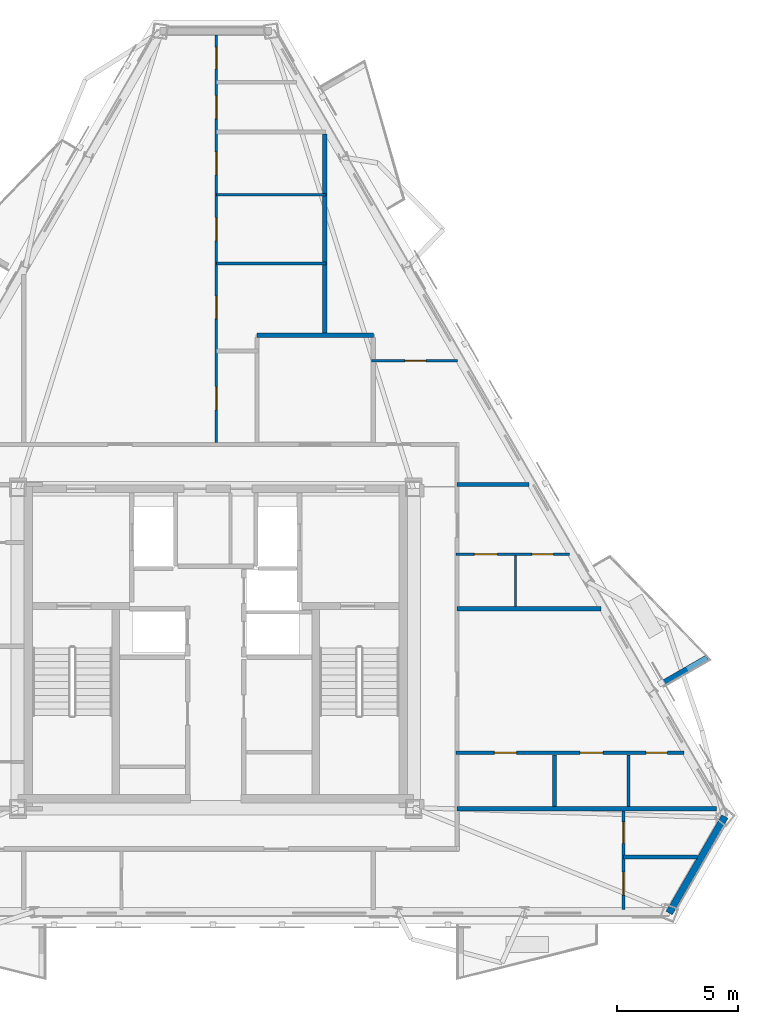
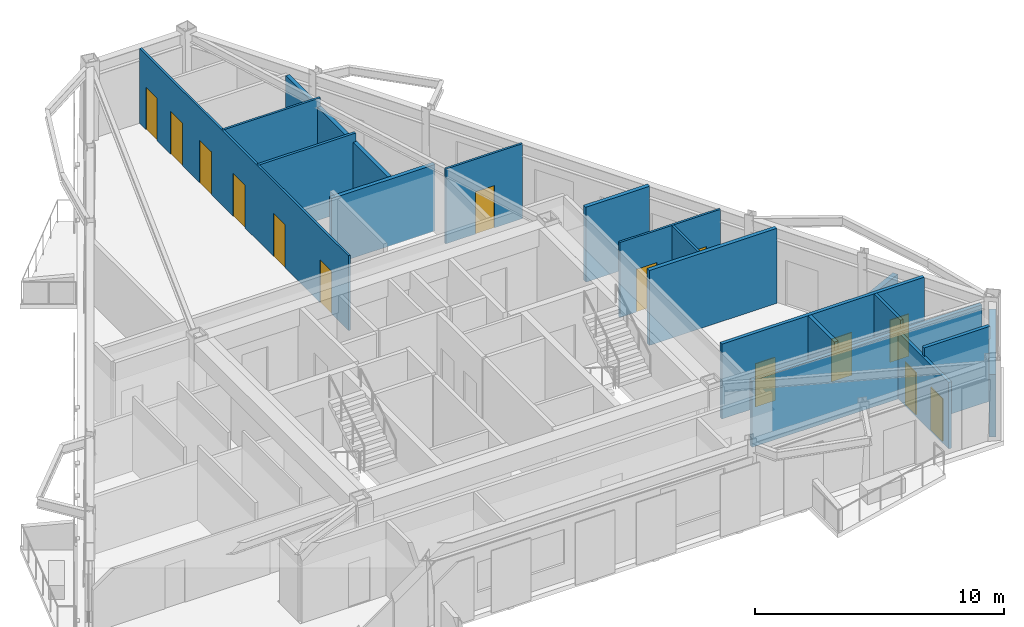
# One storey, part 5 of 9: 18 walls, 14 doors, 14 openings.
"""IFC4 building model written with IfcOpenShell, lengths in metres."""

from ifc_helpers import new_model, si_unit, direction, frame, frame_2d, origin, place, context, subcontext, project, spatial, polyline, rectangle, outline, extrude, material, layer, layer_set, type_object, element, fill, save


model = new_model("IFC4")

# Units and contexts
model_context = context("Model", 3, precision=1e-05, world=origin(), true_north=direction((0.0, 1.0)))
body_context = subcontext(model_context, "Body", "Model", "MODEL_VIEW")
ifc_project = project(units=[si_unit("LENGTHUNIT", "METRE"), si_unit("AREAUNIT", "SQUARE_METRE"), si_unit("VOLUMEUNIT", "CUBIC_METRE"), si_unit("PLANEANGLEUNIT", "RADIAN"), si_unit("MASSUNIT", "GRAM", prefix="KILO")], contexts=[model_context])

# Site, building, storey
site_placement = place(None, origin())
site = spatial("IfcSite", under=ifc_project, at=site_placement, CompositionType="ELEMENT")
building_placement = place(site_placement, origin())
building = spatial("IfcBuilding", under=site, at=building_placement, Name="Oramaril Tower", CompositionType="ELEMENT")
storey_placement = place(building_placement, frame((0.0, 0.0, 277.199951171875)))
storey = spatial("IfcBuildingStorey", under=building, at=storey_placement, Name="L73", CompositionType="ELEMENT", Elevation=277.199951171875)

# Walls
ifc_material_1 = material(Name="Warm Cream Limestone", Category="masonry")
ifc_layer_1 = layer(ifc_material_1, 0.2900390625)
ifc_layer_set_1 = layer_set([ifc_layer_1], Name="WT-EXT29")
wall_type_1 = type_object("IfcWallType", Name="WT-EXT29", PredefinedType="SOLIDWALL", material=ifc_layer_set_1)
wall_1_placement = place(storey_placement, frame((56.194580078125, 6.653076171875, 0.0), z_axis=(0.0, 0.0, 1.0), x_axis=(0.500018268964, 0.866014855936, 0.0)))
element("IfcWall", 1, at=wall_1_placement, inside=storey, type_object=wall_type_1, Name="L73 Tower Limestone Facade Wall 3M", PredefinedType="SOLIDWALL", context=body_context, shape_type="SweptSolid", body=[
    extrude(rectangle(XDim=4.595947265625, YDim=0.2900390625, at=frame_2d((2.2978515625, 0.0))), origin(), (0.0, 0.0, 1.0), 3.05810546875),
])
ifc_material_2 = material(Name="Concrete C40/50", Category="concrete")
ifc_layer_2 = layer(ifc_material_2, 0.22998046875)
ifc_layer_set_2 = layer_set([ifc_layer_2], Name="WT-PRP23")
wall_type_2 = type_object("IfcWallType", Name="WT-PRP23", PredefinedType="PARAPET", material=ifc_layer_set_2)
wall_2_placement = place(storey_placement, frame((55.99072265625, 16.16259765625, 0.0), z_axis=(0.0, 0.0, 1.0), x_axis=(0.866042246008, 0.499970827278, 0.0)))
element("IfcWall", 2, at=wall_2_placement, inside=storey, type_object=wall_type_2, Name="L73 Trapezoidal Balcony Frame Cheek L73-BAL-NE1-L", PredefinedType="PARAPET", context=body_context, shape_type="SweptSolid", body=[
    extrude(outline(polyline([(0.0, 0.0), (2.0419921875, 0.0), (2.0419921875, 1.10009765625), (0.0, 1.320068359375), (0.0, 0.0)])), frame((0.0, 0.114990234375, 0.0), z_axis=(0.0, -1.0, 0.0), x_axis=(1.0, 0.0, 0.0)), (0.0, 0.0, 1.0), 0.22998046875),
])

# Wall, openings, doors
ifc_material_3 = material(Name="Acoustic Gypsum Board Partition")
ifc_layer_3 = layer(ifc_material_3, 0.10009765625)
ifc_layer_set_3 = layer_set([ifc_layer_3], Name="WT-PT10")
wall_type_3 = type_object("IfcWallType", Name="WT-PT10", PredefinedType="PARTITIONING", material=ifc_layer_set_3)
wall_3_placement = place(storey_placement, frame((47.39990234375, 21.449951171875, 0.0), z_axis=(0.0, 0.0, 1.0), x_axis=(1.0, 0.0, 0.0)))
wall_3 = element("IfcWall", 3, at=wall_3_placement, inside=storey, type_object=wall_type_3, Name="L73 Interior Partition PT-10", PredefinedType="PARTITIONING", context=body_context, shape_type="SweptSolid", body=[
    extrude(rectangle(XDim=4.67578125, YDim=0.10009765625, at=frame_2d((2.337890625, 0.0))), origin(), (0.0, 0.0, 1.0), 3.679931640625),
])
opening_1_placement = place(wall_3_placement, frame((0.7626953125, 0.0, 0.0)))
opening_1 = element("IfcOpeningElement", 4, at=opening_1_placement, cuts=wall_3, Name="Opening D-L73-10", PredefinedType="OPENING", context=body_context, shape_type="SweptSolid", body=[
    extrude(rectangle(XDim=0.949951171875, YDim=2.10009765625, at=frame_2d((0.47509765625, 1.050048828125))), frame((0.0, 0.050048828125, 0.0), z_axis=(0.0, -1.0, 0.0), x_axis=(1.0, 0.0, 0.0)), (0.0, 0.0, 1.0), 0.10009765625),
])
opening_2_placement = place(wall_3_placement, frame((3.138916015625, 0.0, 0.0)))
opening_2 = element("IfcOpeningElement", 5, at=opening_2_placement, cuts=wall_3, Name="Opening D-L73-11", PredefinedType="OPENING", context=body_context, shape_type="SweptSolid", body=[
    extrude(rectangle(XDim=0.8798828125, YDim=2.080078125, at=frame_2d((0.43994140625, 1.0400390625))), frame((0.0, 0.050048828125, 0.0), z_axis=(0.0, -1.0, 0.0), x_axis=(1.0, 0.0, 0.0)), (0.0, 0.0, 1.0), 0.10009765625),
])
ifc_material_4 = material(Name="FSC Brazilian Freijo Hardwood", Category="wood")
door_type_1 = type_object("IfcDoorType", Name="DT-BATH", OperationType="NOTDEFINED", PredefinedType="DOOR", material=ifc_material_4)
door_1_placement = place(opening_2_placement, origin())
door_1 = element("IfcDoor", 6, at=door_1_placement, inside=storey, type_object=door_type_1, Name="L73 Flat L73-U6 Bathroom Door D-L73-11", OperationType="SINGLE_SWING_RIGHT", OverallHeight=2.080078125, OverallWidth=0.8798828125, PredefinedType="DOOR", context=body_context, shape_type="SweptSolid", body=[
    extrude(rectangle(XDim=0.8798828125, YDim=2.080078125, at=frame_2d((0.43994140625, 1.0400390625))), frame((0.0, 0.02490234375, 0.0), z_axis=(0.0, -1.0, 0.0), x_axis=(1.0, 0.0, 0.0)), (0.0, 0.0, 1.0), 0.050048828125),
])
fill(opening_2, door_1)
ifc_material_5 = material(Name="FSC Brazilian Freijo Hardwood", Category="wood")
door_type_2 = type_object("IfcDoorType", Name="DT-STDY", OperationType="NOTDEFINED", PredefinedType="DOOR", material=ifc_material_5)
door_2_placement = place(opening_1_placement, origin())
door_2 = element("IfcDoor", 7, at=door_2_placement, inside=storey, type_object=door_type_2, Name="L73 Flat L73-U6 Kitchen Door D-L73-10", OperationType="SINGLE_SWING_LEFT", OverallHeight=2.10009765625, OverallWidth=0.949951171875, PredefinedType="DOOR", context=body_context, shape_type="SweptSolid", body=[
    extrude(rectangle(XDim=0.949951171875, YDim=2.10009765625, at=frame_2d((0.47509765625, 1.050048828125))), frame((0.0, 0.02490234375, 0.0), z_axis=(0.0, -1.0, 0.0), x_axis=(1.0, 0.0, 0.0)), (0.0, 0.0, 1.0), 0.050048828125),
])
fill(opening_1, door_2)

# Wall, opening, door
wall_4_placement = place(storey_placement, frame((43.91796875, 29.419921875, 0.0), z_axis=(0.0, 0.0, 1.0), x_axis=(1.0, 0.0, 0.0)))
wall_4 = element("IfcWall", 8, at=wall_4_placement, inside=storey, type_object=wall_type_3, Name="L73 Interior Partition PT-10", PredefinedType="PARTITIONING", context=body_context, shape_type="SweptSolid", body=[
    extrude(rectangle(XDim=3.55615234375, YDim=0.10009765625, at=frame_2d((1.778076171875, 0.0))), origin(), (0.0, 0.0, 1.0), 3.679931640625),
])
opening_3_placement = place(wall_4_placement, frame((1.37841796875, 0.0, 0.0)))
opening_3 = element("IfcOpeningElement", 9, at=opening_3_placement, cuts=wall_4, Name="Opening D-L73-19", PredefinedType="OPENING", context=body_context, shape_type="SweptSolid", body=[
    extrude(rectangle(XDim=0.8798828125, YDim=2.080078125, at=frame_2d((0.43994140625, 1.0400390625))), frame((0.0, 0.050048828125, 0.0), z_axis=(0.0, -1.0, 0.0), x_axis=(1.0, 0.0, 0.0)), (0.0, 0.0, 1.0), 0.10009765625),
])
door_3_placement = place(opening_3_placement, origin())
door_3 = element("IfcDoor", 10, at=door_3_placement, inside=storey, type_object=door_type_1, Name="L73 Flat L73-U8 Bathroom Door D-L73-19", OperationType="SINGLE_SWING_RIGHT", OverallHeight=2.080078125, OverallWidth=0.8798828125, PredefinedType="DOOR", context=body_context, shape_type="SweptSolid", body=[
    extrude(rectangle(XDim=0.8798828125, YDim=2.080078125, at=frame_2d((0.43994140625, 1.0400390625))), frame((0.0, 0.02490234375, 0.0), z_axis=(0.0, -1.0, 0.0), x_axis=(1.0, 0.0, 0.0)), (0.0, 0.0, 1.0), 0.050048828125),
])
fill(opening_3, door_3)

# Wall
wall_5_placement = place(storey_placement, frame((37.52880859375, 36.27001953125, 0.0), z_axis=(0.0, 0.0, 1.0), x_axis=(1.0, 0.0, 0.0)))
element("IfcWall", 11, at=wall_5_placement, inside=storey, type_object=wall_type_3, Name="L73 Interior Partition PT-10", PredefinedType="PARTITIONING", context=body_context, shape_type="SweptSolid", body=[
    extrude(rectangle(XDim=4.521240234375, YDim=0.10009765625, at=frame_2d((2.2607421875, 0.0))), origin(), (0.0, 0.0, 1.0), 3.679931640625),
])

# Wall, openings, doors
wall_6_placement = place(storey_placement, frame((37.530029296875, 26.06396484375, 0.0), z_axis=(0.0, 0.0, 1.0), x_axis=(0.0, 1.0, 0.0)))
wall_6 = element("IfcWall", 12, at=wall_6_placement, inside=storey, type_object=wall_type_3, Name="L73 Interior Partition PT-10", PredefinedType="PARTITIONING", context=body_context, shape_type="SweptSolid", body=[
    extrude(rectangle(XDim=16.800537109375, YDim=0.10009765625, at=frame_2d((8.400390625, 0.0))), origin(), (0.0, 0.0, 1.0), 3.679931640625),
])
opening_4_placement = place(wall_6_placement, frame((1.338623046875, 0.0, 0.0)))
opening_4 = element("IfcOpeningElement", 13, at=opening_4_placement, cuts=wall_6, Name="Opening D-L73-21", PredefinedType="OPENING", context=body_context, shape_type="SweptSolid", body=[
    extrude(rectangle(XDim=0.949951171875, YDim=2.10009765625, at=frame_2d((0.47509765625, 1.050048828125))), frame((0.0, 0.050048828125, 0.0), z_axis=(0.0, -1.0, 0.0), x_axis=(1.0, 0.0, 0.0)), (0.0, 0.0, 1.0), 0.10009765625),
])
opening_5_placement = place(wall_6_placement, frame((5.099853515625, 0.0, 0.0)))
opening_5 = element("IfcOpeningElement", 14, at=opening_5_placement, cuts=wall_6, Name="Opening D-L73-22", PredefinedType="OPENING", context=body_context, shape_type="SweptSolid", body=[
    extrude(rectangle(XDim=0.919921875, YDim=2.1201171875, at=frame_2d((0.4599609375, 1.06005859375))), frame((0.0, 0.050048828125, 0.0), z_axis=(0.0, -1.0, 0.0), x_axis=(1.0, 0.0, 0.0)), (0.0, 0.0, 1.0), 0.10009765625),
])
opening_6_placement = place(wall_6_placement, frame((8.314208984375, 0.0, 0.0)))
opening_6 = element("IfcOpeningElement", 15, at=opening_6_placement, cuts=wall_6, Name="Opening D-L73-23", PredefinedType="OPENING", context=body_context, shape_type="SweptSolid", body=[
    extrude(rectangle(XDim=0.949951171875, YDim=2.10009765625, at=frame_2d((0.47509765625, 1.050048828125))), frame((0.0, 0.050048828125, 0.0), z_axis=(0.0, -1.0, 0.0), x_axis=(1.0, 0.0, 0.0)), (0.0, 0.0, 1.0), 0.10009765625),
])
opening_7_placement = place(wall_6_placement, frame((11.027099609375, 0.0, 0.0)))
opening_7 = element("IfcOpeningElement", 16, at=opening_7_placement, cuts=wall_6, Name="Opening D-L73-24", PredefinedType="OPENING", context=body_context, shape_type="SweptSolid", body=[
    extrude(rectangle(XDim=0.949951171875, YDim=2.10009765625, at=frame_2d((0.47509765625, 1.050048828125))), frame((0.0, 0.050048828125, 0.0), z_axis=(0.0, -1.0, 0.0), x_axis=(1.0, 0.0, 0.0)), (0.0, 0.0, 1.0), 0.10009765625),
])
opening_8_placement = place(wall_6_placement, frame((13.34375, 0.0, 0.0)))
opening_8 = element("IfcOpeningElement", 17, at=opening_8_placement, cuts=wall_6, Name="Opening D-L73-25", PredefinedType="OPENING", context=body_context, shape_type="SweptSolid", body=[
    extrude(rectangle(XDim=0.949951171875, YDim=2.10009765625, at=frame_2d((0.47509765625, 1.050048828125))), frame((0.0, 0.050048828125, 0.0), z_axis=(0.0, -1.0, 0.0), x_axis=(1.0, 0.0, 0.0)), (0.0, 0.0, 1.0), 0.10009765625),
])
opening_9_placement = place(wall_6_placement, frame((15.396484375, 0.0, 0.0)))
opening_9 = element("IfcOpeningElement", 18, at=opening_9_placement, cuts=wall_6, Name="Opening D-L73-26", PredefinedType="OPENING", context=body_context, shape_type="SweptSolid", body=[
    extrude(rectangle(XDim=0.8798828125, YDim=2.080078125, at=frame_2d((0.43994140625, 1.0400390625))), frame((0.0, 0.050048828125, 0.0), z_axis=(0.0, -1.0, 0.0), x_axis=(1.0, 0.0, 0.0)), (0.0, 0.0, 1.0), 0.10009765625),
])
door_4_placement = place(opening_9_placement, origin())
door_4 = element("IfcDoor", 19, at=door_4_placement, inside=storey, type_object=door_type_1, Name="L73 Flat L73-U7 Bathroom Door D-L73-26", OperationType="SINGLE_SWING_LEFT", OverallHeight=2.080078125, OverallWidth=0.8798828125, PredefinedType="DOOR", context=body_context, shape_type="SweptSolid", body=[
    extrude(rectangle(XDim=0.8798828125, YDim=2.080078125, at=frame_2d((0.43994140625, 1.0400390625))), frame((0.0, 0.02490234375, 0.0), z_axis=(0.0, -1.0, 0.0), x_axis=(1.0, 0.0, 0.0)), (0.0, 0.0, 1.0), 0.050048828125),
])
fill(opening_9, door_4)
ifc_material_6 = material(Name="FSC Brazilian Freijo Hardwood", Category="wood")
door_type_3 = type_object("IfcDoorType", Name="DT-BED", OperationType="NOTDEFINED", PredefinedType="DOOR", material=ifc_material_6)
door_5_placement = place(opening_5_placement, origin())
door_5 = element("IfcDoor", 20, at=door_5_placement, inside=storey, type_object=door_type_3, Name="L73 Flat L73-U7 Bedroom 2 Door D-L73-22", OperationType="SINGLE_SWING_LEFT", OverallHeight=2.1201171875, OverallWidth=0.919921875, PredefinedType="DOOR", context=body_context, shape_type="SweptSolid", body=[
    extrude(rectangle(XDim=0.919921875, YDim=2.1201171875, at=frame_2d((0.4599609375, 1.06005859375))), frame((0.0, 0.02490234375, 0.0), z_axis=(0.0, -1.0, 0.0), x_axis=(1.0, 0.0, 0.0)), (0.0, 0.0, 1.0), 0.050048828125),
])
fill(opening_5, door_5)
door_6_placement = place(opening_4_placement, origin())
door_6 = element("IfcDoor", 21, at=door_6_placement, inside=storey, type_object=door_type_2, Name="L73 Flat L73-U7 Breakfast Dining Room Door D-L73-21", OperationType="SINGLE_SWING_RIGHT", OverallHeight=2.10009765625, OverallWidth=0.949951171875, PredefinedType="DOOR", context=body_context, shape_type="SweptSolid", body=[
    extrude(rectangle(XDim=0.949951171875, YDim=2.10009765625, at=frame_2d((0.47509765625, 1.050048828125))), frame((0.0, 0.02490234375, 0.0), z_axis=(0.0, -1.0, 0.0), x_axis=(1.0, 0.0, 0.0)), (0.0, 0.0, 1.0), 0.050048828125),
])
fill(opening_4, door_6)
door_7_placement = place(opening_6_placement, origin())
door_7 = element("IfcDoor", 22, at=door_7_placement, inside=storey, type_object=door_type_2, Name="L73 Flat L73-U7 Reading Study Door D-L73-23", OperationType="SINGLE_SWING_RIGHT", OverallHeight=2.10009765625, OverallWidth=0.949951171875, PredefinedType="DOOR", context=body_context, shape_type="SweptSolid", body=[
    extrude(rectangle(XDim=0.949951171875, YDim=2.10009765625, at=frame_2d((0.47509765625, 1.050048828125))), frame((0.0, 0.02490234375, 0.0), z_axis=(0.0, -1.0, 0.0), x_axis=(1.0, 0.0, 0.0)), (0.0, 0.0, 1.0), 0.050048828125),
])
fill(opening_6, door_7)
door_8_placement = place(opening_7_placement, origin())
door_8 = element("IfcDoor", 23, at=door_8_placement, inside=storey, type_object=door_type_2, Name="L73 Flat L73-U7 Private Dining Room Door D-L73-24", OperationType="SINGLE_SWING_LEFT", OverallHeight=2.10009765625, OverallWidth=0.949951171875, PredefinedType="DOOR", context=body_context, shape_type="SweptSolid", body=[
    extrude(rectangle(XDim=0.949951171875, YDim=2.10009765625, at=frame_2d((0.47509765625, 1.050048828125))), frame((0.0, 0.02490234375, 0.0), z_axis=(0.0, -1.0, 0.0), x_axis=(1.0, 0.0, 0.0)), (0.0, 0.0, 1.0), 0.050048828125),
])
fill(opening_7, door_8)
door_9_placement = place(opening_8_placement, origin())
door_9 = element("IfcDoor", 24, at=door_9_placement, inside=storey, type_object=door_type_2, Name="L73 Flat L73-U7 Kitchen Door D-L73-25", OperationType="SINGLE_SWING_RIGHT", OverallHeight=2.10009765625, OverallWidth=0.949951171875, PredefinedType="DOOR", context=body_context, shape_type="SweptSolid", body=[
    extrude(rectangle(XDim=0.949951171875, YDim=2.10009765625, at=frame_2d((0.47509765625, 1.050048828125))), frame((0.0, 0.02490234375, 0.0), z_axis=(0.0, -1.0, 0.0), x_axis=(1.0, 0.0, 0.0)), (0.0, 0.0, 1.0), 0.050048828125),
])
fill(opening_8, door_9)

# Walls
wall_7_placement = place(storey_placement, frame((49.860107421875, 19.2939453125, 0.0), z_axis=(0.0, 0.0, 1.0), x_axis=(0.0, 1.0, 0.0)))
element("IfcWall", 25, at=wall_7_placement, inside=storey, type_object=wall_type_3, Name="L73 Interior Partition PT-10", PredefinedType="PARTITIONING", context=body_context, shape_type="SweptSolid", body=[
    extrude(rectangle(XDim=2.10205078125, YDim=0.10009765625, at=frame_2d((1.051025390625, 0.0))), origin(), (0.0, 0.0, 1.0), 3.679931640625),
])
ifc_material_7 = material(Name="Acoustic Gypsum Board Partition")
ifc_layer_4 = layer(ifc_material_7, 0.1201171875)
ifc_layer_set_4 = layer_set([ifc_layer_4], Name="WT-PT12")
wall_type_4 = type_object("IfcWallType", Name="WT-PT12", PredefinedType="PARTITIONING", material=ifc_layer_set_4)
wall_8_placement = place(storey_placement, frame((37.52880859375, 33.429931640625, 0.0), z_axis=(0.0, 0.0, 1.0), x_axis=(1.0, 0.0, 0.0)))
element("IfcWall", 26, at=wall_8_placement, inside=storey, type_object=wall_type_4, Name="L73 Interior Partition PT-12", PredefinedType="PARTITIONING", context=body_context, shape_type="SweptSolid", body=[
    extrude(rectangle(XDim=4.521240234375, YDim=0.1201171875, at=frame_2d((2.2607421875, 0.0))), origin(), (0.0, 0.0, 1.0), 3.679931640625),
])
wall_9_placement = place(storey_placement, frame((54.52001953125, 11.0439453125, 0.0), z_axis=(0.0, 0.0, 1.0), x_axis=(0.0, 1.0, 0.0)))
element("IfcWall", 27, at=wall_9_placement, inside=storey, type_object=wall_type_4, Name="L73 Interior Partition PT-12", PredefinedType="PARTITIONING", context=body_context, shape_type="SweptSolid", body=[
    extrude(rectangle(XDim=2.132080078125, YDim=0.1201171875, at=frame_2d((1.06591796875, 0.0))), origin(), (0.0, 0.0, 1.0), 3.679931640625),
])

# Wall, openings, doors
ifc_material_8 = material(Name="Acoustic Gypsum Board Partition")
ifc_layer_5 = layer(ifc_material_8, 0.139892578125)
ifc_layer_set_5 = layer_set([ifc_layer_5], Name="WT-PT14")
wall_type_5 = type_object("IfcWallType", Name="WT-PT14", PredefinedType="PARTITIONING", material=ifc_layer_set_5)
wall_10_placement = place(storey_placement, frame((54.31005859375, 6.802001953125, 0.0), z_axis=(0.0, 0.0, 1.0), x_axis=(0.0, 1.0, 0.0)))
wall_10 = element("IfcWall", 28, at=wall_10_placement, inside=storey, type_object=wall_type_5, Name="L73 Interior Partition PT-14", PredefinedType="PARTITIONING", context=body_context, shape_type="SweptSolid", body=[
    extrude(rectangle(XDim=4.053955078125, YDim=0.139892578125, at=frame_2d((2.02685546875, 0.0))), origin(), (0.0, 0.0, 1.0), 3.26611328125),
])
opening_10_placement = place(wall_10_placement, frame((0.58984375, 0.0, 0.0)))
opening_10 = element("IfcOpeningElement", 29, at=opening_10_placement, cuts=wall_10, Name="Opening D-L73-29", PredefinedType="OPENING", context=body_context, shape_type="SweptSolid", body=[
    extrude(rectangle(XDim=0.949951171875, YDim=2.10009765625, at=frame_2d((0.47509765625, 1.050048828125))), frame((0.0, 0.06982421875, 0.0), z_axis=(0.0, -1.0, 0.0), x_axis=(1.0, 0.0, 0.0)), (0.0, 0.0, 1.0), 0.139892578125),
])
opening_11_placement = place(wall_10_placement, frame((2.728271484375, 0.0, 0.0)))
opening_11 = element("IfcOpeningElement", 30, at=opening_11_placement, cuts=wall_10, Name="Opening D-L73-30", PredefinedType="OPENING", context=body_context, shape_type="SweptSolid", body=[
    extrude(rectangle(XDim=0.8798828125, YDim=2.080078125, at=frame_2d((0.43994140625, 1.0400390625))), frame((0.0, 0.06982421875, 0.0), z_axis=(0.0, -1.0, 0.0), x_axis=(1.0, 0.0, 0.0)), (0.0, 0.0, 1.0), 0.139892578125),
])
door_10_placement = place(opening_11_placement, origin())
door_10 = element("IfcDoor", 31, at=door_10_placement, inside=storey, type_object=door_type_1, Name="L73 Flat L73-U2 Bathroom Door D-L73-30", OperationType="SINGLE_SWING_LEFT", OverallHeight=2.080078125, OverallWidth=0.8798828125, PredefinedType="DOOR", context=body_context, shape_type="SweptSolid", body=[
    extrude(rectangle(XDim=0.8798828125, YDim=2.080078125, at=frame_2d((0.43994140625, 1.0400390625))), frame((0.0, 0.02490234375, 0.0), z_axis=(0.0, -1.0, 0.0), x_axis=(1.0, 0.0, 0.0)), (0.0, 0.0, 1.0), 0.050048828125),
])
fill(opening_11, door_10)
door_11_placement = place(opening_10_placement, origin())
door_11 = element("IfcDoor", 32, at=door_11_placement, inside=storey, type_object=door_type_2, Name="L73 Flat L73-U2 Kitchen Door D-L73-29", OperationType="SINGLE_SWING_RIGHT", OverallHeight=2.10009765625, OverallWidth=0.949951171875, PredefinedType="DOOR", context=body_context, shape_type="SweptSolid", body=[
    extrude(rectangle(XDim=0.949951171875, YDim=2.10009765625, at=frame_2d((0.47509765625, 1.050048828125))), frame((0.0, 0.02490234375, 0.0), z_axis=(0.0, -1.0, 0.0), x_axis=(1.0, 0.0, 0.0)), (0.0, 0.0, 1.0), 0.050048828125),
])
fill(opening_10, door_11)

# Wall
ifc_material_9 = material(Name="Acoustic Gypsum Board Partition")
ifc_layer_6 = layer(ifc_material_9, 0.159912109375)
ifc_layer_set_6 = layer_set([ifc_layer_6], Name="WT-PT16")
wall_type_6 = type_object("IfcWallType", Name="WT-PT16", PredefinedType="PARTITIONING", material=ifc_layer_set_6)
wall_11_placement = place(storey_placement, frame((54.31005859375, 8.9599609375, 0.0), z_axis=(0.0, 0.0, 1.0), x_axis=(1.0, 0.0, 0.0)))
element("IfcWall", 33, at=wall_11_placement, inside=storey, type_object=wall_type_6, Name="L73 Interior Partition PT-16", PredefinedType="PARTITIONING", context=body_context, shape_type="SweptSolid", body=[
    extrude(rectangle(XDim=3.04443359375, YDim=0.159912109375, at=frame_2d((1.522216796875, 0.0))), origin(), (0.0, 0.0, 1.0), 3.679931640625),
])

# Wall, openings, doors
wall_12_placement = place(storey_placement, frame((47.39990234375, 13.260009765625, 0.0), z_axis=(0.0, 0.0, 1.0), x_axis=(1.0, 0.0, 0.0)))
wall_12 = element("IfcWall", 34, at=wall_12_placement, inside=storey, type_object=wall_type_6, Name="L73 Interior Partition PT-16", PredefinedType="PARTITIONING", context=body_context, shape_type="SweptSolid", body=[
    extrude(rectangle(XDim=9.404296875, YDim=0.159912109375, at=frame_2d((4.7021484375, 0.0))), origin(), (0.0, 0.0, 1.0), 3.679931640625),
])
opening_12_placement = place(wall_12_placement, frame((1.58642578125, 0.0, 0.0)))
opening_12 = element("IfcOpeningElement", 35, at=opening_12_placement, cuts=wall_12, Name="Opening D-L73-07", PredefinedType="OPENING", context=body_context, shape_type="SweptSolid", body=[
    extrude(rectangle(XDim=0.919921875, YDim=2.1201171875, at=frame_2d((0.4599609375, 1.06005859375))), frame((0.0, 0.080078125, 0.0), z_axis=(0.0, -1.0, 0.0), x_axis=(1.0, 0.0, 0.0)), (0.0, 0.0, 1.0), 0.159912109375),
])
opening_13_placement = place(wall_12_placement, frame((5.123046875, 0.0, 0.0)))
opening_13 = element("IfcOpeningElement", 36, at=opening_13_placement, cuts=wall_12, Name="Opening D-L73-08", PredefinedType="OPENING", context=body_context, shape_type="SweptSolid", body=[
    extrude(rectangle(XDim=0.949951171875, YDim=2.10009765625, at=frame_2d((0.47509765625, 1.050048828125))), frame((0.0, 0.080078125, 0.0), z_axis=(0.0, -1.0, 0.0), x_axis=(1.0, 0.0, 0.0)), (0.0, 0.0, 1.0), 0.159912109375),
])
opening_14_placement = place(wall_12_placement, frame((7.837890625, 0.0, 0.0)))
opening_14 = element("IfcOpeningElement", 37, at=opening_14_placement, cuts=wall_12, Name="Opening D-L73-09", PredefinedType="OPENING", context=body_context, shape_type="SweptSolid", body=[
    extrude(rectangle(XDim=0.8798828125, YDim=2.080078125, at=frame_2d((0.43994140625, 1.0400390625))), frame((0.0, 0.080078125, 0.0), z_axis=(0.0, -1.0, 0.0), x_axis=(1.0, 0.0, 0.0)), (0.0, 0.0, 1.0), 0.159912109375),
])
door_12_placement = place(opening_14_placement, origin())
door_12 = element("IfcDoor", 38, at=door_12_placement, inside=storey, type_object=door_type_1, Name="L73 Flat L73-U5 Bathroom Door D-L73-09", OperationType="SINGLE_SWING_RIGHT", OverallHeight=2.080078125, OverallWidth=0.8798828125, PredefinedType="DOOR", context=body_context, shape_type="SweptSolid", body=[
    extrude(rectangle(XDim=0.8798828125, YDim=2.080078125, at=frame_2d((0.43994140625, 1.0400390625))), frame((0.0, 0.02490234375, 0.0), z_axis=(0.0, -1.0, 0.0), x_axis=(1.0, 0.0, 0.0)), (0.0, 0.0, 1.0), 0.050048828125),
])
fill(opening_14, door_12)
door_13_placement = place(opening_12_placement, origin())
door_13 = element("IfcDoor", 39, at=door_13_placement, inside=storey, type_object=door_type_3, Name="L73 Flat L73-U5 Master Bedroom Door D-L73-07", OperationType="SINGLE_SWING_RIGHT", OverallHeight=2.1201171875, OverallWidth=0.919921875, PredefinedType="DOOR", context=body_context, shape_type="SweptSolid", body=[
    extrude(rectangle(XDim=0.919921875, YDim=2.1201171875, at=frame_2d((0.4599609375, 1.06005859375))), frame((0.0, 0.02490234375, 0.0), z_axis=(0.0, -1.0, 0.0), x_axis=(1.0, 0.0, 0.0)), (0.0, 0.0, 1.0), 0.050048828125),
])
fill(opening_12, door_13)
door_14_placement = place(opening_13_placement, origin())
door_14 = element("IfcDoor", 40, at=door_14_placement, inside=storey, type_object=door_type_2, Name="L73 Flat L73-U5 Kitchen Door D-L73-08", OperationType="SINGLE_SWING_LEFT", OverallHeight=2.10009765625, OverallWidth=0.949951171875, PredefinedType="DOOR", context=body_context, shape_type="SweptSolid", body=[
    extrude(rectangle(XDim=0.949951171875, YDim=2.10009765625, at=frame_2d((0.47509765625, 1.050048828125))), frame((0.0, 0.02490234375, 0.0), z_axis=(0.0, -1.0, 0.0), x_axis=(1.0, 0.0, 0.0)), (0.0, 0.0, 1.0), 0.050048828125),
])
fill(opening_13, door_14)

# Walls
wall_13_placement = place(storey_placement, frame((51.469970703125, 11.0439453125, 0.0), z_axis=(0.0, 0.0, 1.0), x_axis=(0.0, 1.0, 0.0)))
element("IfcWall", 41, at=wall_13_placement, inside=storey, type_object=wall_type_6, Name="L73 Interior Partition PT-16", PredefinedType="PARTITIONING", context=body_context, shape_type="SweptSolid", body=[
    extrude(rectangle(XDim=2.132080078125, YDim=0.159912109375, at=frame_2d((1.06591796875, 0.0))), origin(), (0.0, 0.0, 1.0), 3.679931640625),
])
ifc_material_10 = material(Name="Autoclaved Cellular Concrete Block", Category="concrete")
ifc_layer_7 = layer(ifc_material_10, 0.179931640625)
ifc_layer_set_7 = layer_set([ifc_layer_7], Name="WT-PT18")
wall_type_7 = type_object("IfcWallType", Name="WT-PT18", PredefinedType="PARTITIONING", material=ifc_layer_set_7)
wall_14_placement = place(storey_placement, frame((47.449951171875, 10.949951171875, 0.0), z_axis=(0.0, 0.0, 1.0), x_axis=(1.0, 0.0, 0.0)))
element("IfcWall", 42, at=wall_14_placement, inside=storey, type_object=wall_type_7, Name="L73 Interior Partition PT-18", PredefinedType="PARTITIONING", context=body_context, shape_type="SweptSolid", body=[
    extrude(rectangle(XDim=10.687744140625, YDim=0.179931640625, at=frame_2d((5.34375, 0.0))), origin(), (0.0, 0.0, 1.0), 3.26611328125),
])
wall_15_placement = place(storey_placement, frame((47.449951171875, 19.199951171875, 0.0), z_axis=(0.0, 0.0, 1.0), x_axis=(1.0, 0.0, 0.0)))
element("IfcWall", 43, at=wall_15_placement, inside=storey, type_object=wall_type_7, Name="L73 Interior Partition PT-18", PredefinedType="PARTITIONING", context=body_context, shape_type="SweptSolid", body=[
    extrude(rectangle(XDim=5.924560546875, YDim=0.179931640625, at=frame_2d((2.96240234375, 0.0))), origin(), (0.0, 0.0, 1.0), 3.679931640625),
])
wall_16_placement = place(storey_placement, frame((47.449951171875, 24.320068359375, 0.0), z_axis=(0.0, 0.0, 1.0), x_axis=(1.0, 0.0, 0.0)))
element("IfcWall", 44, at=wall_16_placement, inside=storey, type_object=wall_type_7, Name="L73 Interior Partition PT-18", PredefinedType="PARTITIONING", context=body_context, shape_type="SweptSolid", body=[
    extrude(rectangle(XDim=2.96875, YDim=0.179931640625, at=frame_2d((1.484375, 0.0))), origin(), (0.0, 0.0, 1.0), 3.679931640625),
])
wall_17_placement = place(storey_placement, frame((39.199951171875, 30.469970703125, 0.0), z_axis=(0.0, 0.0, 1.0), x_axis=(1.0, 0.0, 0.0)))
element("IfcWall", 45, at=wall_17_placement, inside=storey, type_object=wall_type_7, Name="L73 Interior Partition PT-18", PredefinedType="PARTITIONING", context=body_context, shape_type="SweptSolid", body=[
    extrude(rectangle(XDim=4.800048828125, YDim=0.179931640625, at=frame_2d((2.39990234375, 0.0))), origin(), (0.0, 0.0, 1.0), 3.26611328125),
])
wall_18_placement = place(storey_placement, frame((42.0, 30.56396484375, 0.0), z_axis=(0.0, 0.0, 1.0), x_axis=(0.0, 1.0, 0.0)))
element("IfcWall", 46, at=wall_18_placement, inside=storey, type_object=wall_type_7, Name="L73 Interior Partition PT-18", PredefinedType="PARTITIONING", context=body_context, shape_type="SweptSolid", body=[
    extrude(rectangle(XDim=8.2119140625, YDim=0.179931640625, at=frame_2d((4.10595703125, 0.0))), origin(), (0.0, 0.0, 1.0), 3.26611328125),
])

save(model, "model.ifc")
